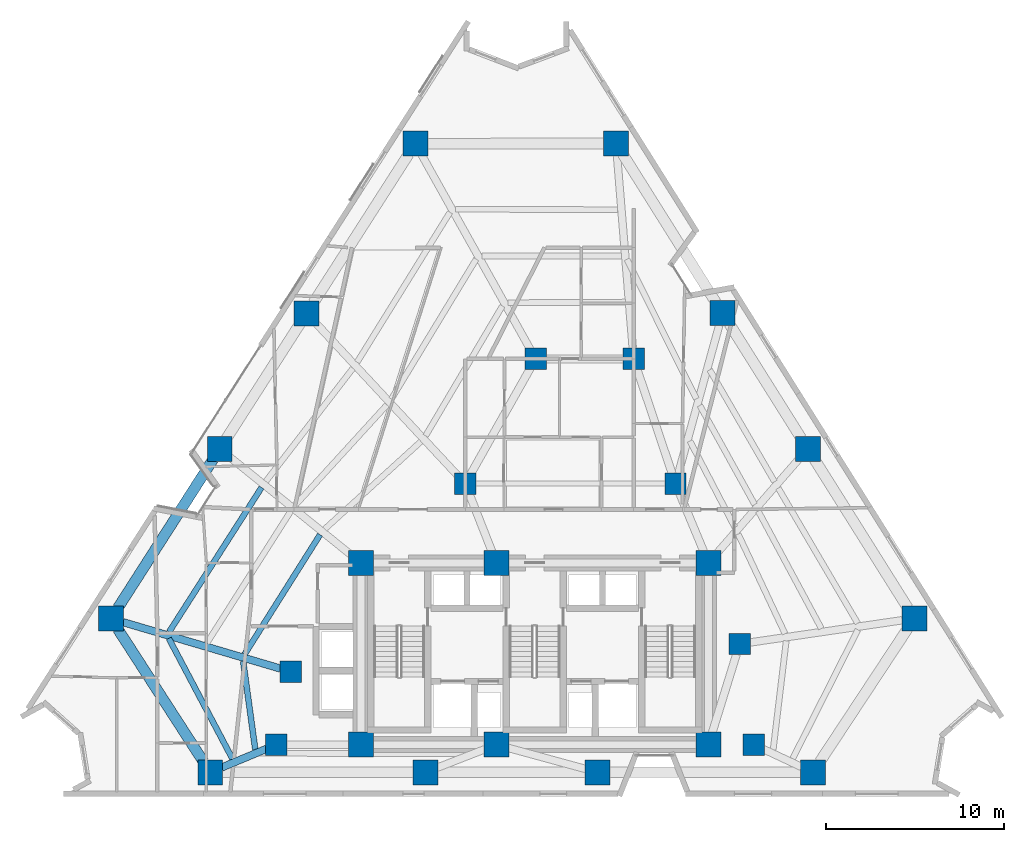
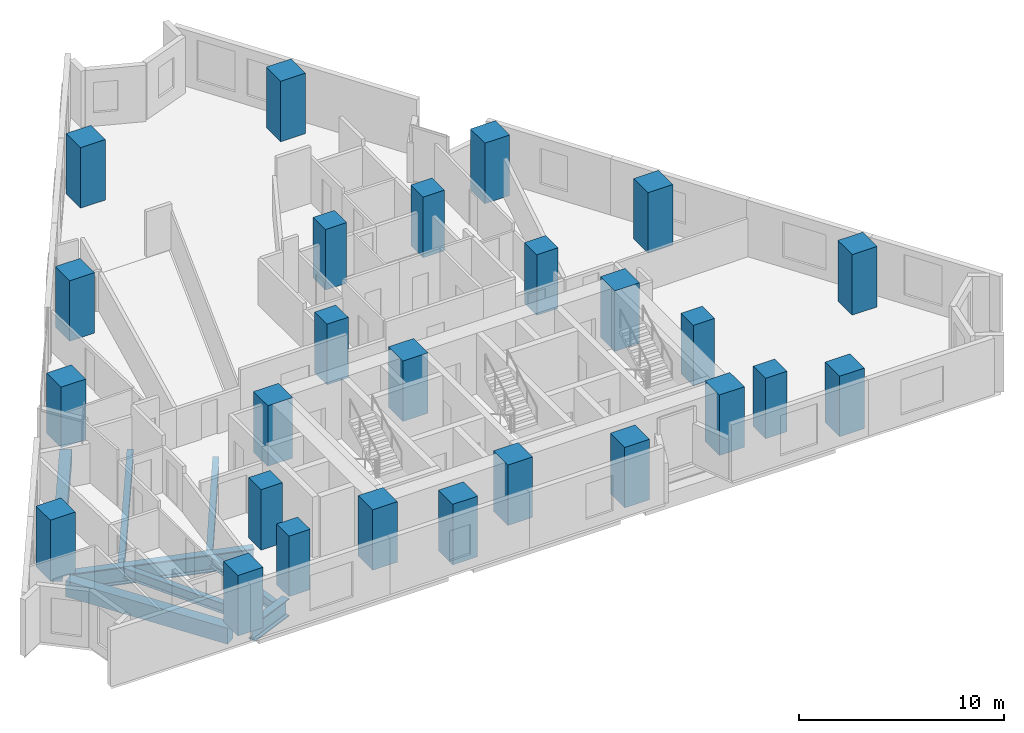
# One storey, part 1 of 14: 26 columns, 8 beams.
"""IFC4 building model written with IfcOpenShell, lengths in metres."""

import ifcopenshell
import ifcopenshell.guid

model = None  # the IFC model being written
_history = None  # IfcOwnerHistory: only IFC2X3 demands one
_inside = {}  # id of a spatial element -> (the spatial element, [elements in it])
_under = {}  # id of a project, library or spatial element -> (it, [spatial elements below it])
_declared = {}  # id of a project -> (the project, [libraries it declares])
_typed = {}  # id of a type object -> (the type object, [elements of that type])
_made_of = {}  # id of a material, layer set ... -> (it, [elements and type objects made of it])


def new_model(schema):
    """Start an empty IFC model of exactly this schema.

    Asked for "IFC4X3", IfcOpenShell would pick the latest addendum, in which some entities
    have other attributes; the version numbers below select the first issue.
    IFC2X3 requires an IfcOwnerHistory on every rooted entity: one is made here for all.
    """
    global model, _history
    if schema == "IFC4X3":
        model = ifcopenshell.file(schema_version=(4, 3, 0, 0))
    else:
        model = ifcopenshell.file(schema=schema)
    _inside.clear()
    _under.clear()
    _declared.clear()
    _typed.clear()
    _made_of.clear()
    _history = None
    if model.schema == "IFC2X3":
        org = make("IfcOrganization", Name="unknown")
        user = make(
            "IfcPersonAndOrganization",
            ThePerson=make("IfcPerson", FamilyName="unknown"),
            TheOrganization=org,
        )
        app = make(
            "IfcApplication",
            ApplicationDeveloper=org,
            Version="unknown",
            ApplicationFullName="unknown",
            ApplicationIdentifier="unknown",
        )
        _history = make(
            "IfcOwnerHistory",
            OwningUser=user,
            OwningApplication=app,
            ChangeAction="ADDED",
            CreationDate=0,
        )
    return model


def make(cls, **values):
    """One entity of the class cls with the attributes given. An attribute that is None is left unset."""
    return model.create_entity(
        cls, **{name: value for name, value in values.items() if value is not None}
    )


def rooted(cls, **values):
    """An entity with a GlobalId (a new one), such as an element, a storey or a relation."""
    return make(cls, GlobalId=ifcopenshell.guid.new(), OwnerHistory=_history, **values)


def si_unit(unit_type, name, prefix=None):
    """IfcSIUnit, for example si_unit("LENGTHUNIT", "METRE", prefix="MILLI")."""
    return make("IfcSIUnit", UnitType=unit_type, Prefix=prefix, Name=name)


def assignment(units):
    """IfcUnitAssignment: the units of a project."""
    return None if units is None else make("IfcUnitAssignment", Units=units)


def point(xyz):
    """IfcCartesianPoint."""
    return None if xyz is None else make("IfcCartesianPoint", Coordinates=xyz)


def direction(xyz):
    """IfcDirection."""
    return None if xyz is None else make("IfcDirection", DirectionRatios=xyz)


def frame(location, z_axis=None, x_axis=None):
    """IfcAxis2Placement3D, a coordinate frame: its origin and axes. An axis left out is left unset."""
    return make(
        "IfcAxis2Placement3D",
        Location=point(location),
        Axis=direction(z_axis),
        RefDirection=direction(x_axis),
    )


def frame_2d(location, x_axis=None):
    """IfcAxis2Placement2D, a coordinate frame in the plane: its origin and x axis."""
    return make(
        "IfcAxis2Placement2D", Location=point(location), RefDirection=direction(x_axis)
    )


def origin():
    """The frame at (0, 0, 0) with its axes left unset."""
    return frame((0.0, 0.0, 0.0))


def origin_2d():
    """The frame at (0, 0) in the plane with its x axis left unset."""
    return frame_2d((0.0, 0.0))


def place(relative_to, where):
    """IfcLocalPlacement: puts the frame where relative to a parent placement (None: the world)."""
    return make(
        "IfcLocalPlacement", PlacementRelTo=relative_to, RelativePlacement=where
    )


def context(
    kind, dimensions, precision=None, world=None, true_north=None, identifier=None
):
    """IfcGeometricRepresentationContext, for example the 3D "Model" context."""
    return make(
        "IfcGeometricRepresentationContext",
        ContextIdentifier=identifier,
        ContextType=kind,
        CoordinateSpaceDimension=dimensions,
        Precision=precision,
        WorldCoordinateSystem=world,
        TrueNorth=true_north,
    )


def subcontext(parent, identifier, kind, view, scale=None):
    """IfcGeometricRepresentationSubContext, for example "Body" below "Model"."""
    return make(
        "IfcGeometricRepresentationSubContext",
        ContextIdentifier=identifier,
        ContextType=kind,
        ParentContext=parent,
        TargetScale=scale,
        TargetView=view,
    )


def project(units=None, contexts=None):
    """IfcProject with its units and contexts."""
    return rooted(
        "IfcProject",
        Name="project",
        RepresentationContexts=contexts,
        UnitsInContext=assignment(units),
    )


def spatial(cls, under=None, at=None, **own):
    """A site, building, storey or space (cls), placed at a placement, below another one or the project."""
    s = rooted(cls, ObjectPlacement=at, **own)
    if under is not None:
        _under.setdefault(under.id(), (under, []))[1].append(s)
    return s


def profile(cls, at=None, kind="AREA", **sizes):
    """A parametric profile (cls). Its sizes go by their IFC names, for example OverallWidth=200.0."""
    return make(cls, ProfileType=kind, Position=at, **sizes)


def rectangle(**sizes):
    """IfcRectangleProfileDef."""
    return profile("IfcRectangleProfileDef", **sizes)


def i_section(**sizes):
    """IfcIShapeProfileDef."""
    return profile("IfcIShapeProfileDef", **sizes)


def extrude(swept, where, along, depth):
    """IfcExtrudedAreaSolid: the profile swept, set in the frame where, extruded along a direction by depth."""
    return make(
        "IfcExtrudedAreaSolid",
        SweptArea=swept,
        Position=where,
        ExtrudedDirection=direction(along),
        Depth=depth,
    )


def shape(context_of_items, identifier, shape_type, items):
    """IfcShapeRepresentation: the items that make up one representation, for example the "Body"."""
    return make(
        "IfcShapeRepresentation",
        ContextOfItems=context_of_items,
        RepresentationIdentifier=identifier,
        RepresentationType=shape_type,
        Items=items,
    )


def material(Name=None, Category=None):
    """IfcMaterial."""
    return make("IfcMaterial", Name=Name, Category=Category)


def material_profile(
    of_material, cross_section, Name=None, Category=None, Priority=None
):
    """IfcMaterialProfile: a cross section and its material."""
    return make(
        "IfcMaterialProfile",
        Name=Name,
        Material=of_material,
        Profile=cross_section,
        Priority=Priority,
        Category=Category,
    )


def profile_set(profiles, Name=None, composite=None):
    """IfcMaterialProfileSet."""
    return make(
        "IfcMaterialProfileSet",
        Name=Name,
        MaterialProfiles=profiles,
        CompositeProfile=composite,
    )


def made_of(thing, what):
    """Note that an element or type object is made of a material, layer set ...; save() writes the relation."""
    if what is not None:
        _made_of.setdefault(what.id(), (what, []))[1].append(thing)
    return thing


def type_object(cls, material=None, **own):
    """A type object (cls), such as IfcWallType, which elements share."""
    return made_of(rooted(cls, **own), material)


def element(
    cls,
    number,
    at=None,
    inside=None,
    cuts=None,
    type_object=None,
    material=None,
    context=None,
    identifier="Body",
    shape_type=None,
    held_by="IfcProductDefinitionShape",
    body=None,
    shapes=None,
    **own,
):
    """One element of the class cls, such as IfcWall. Its Tag is "e" and its number.

    at: its placement. inside: the storey or other place that contains it. cuts: it is an
    opening in that element (IfcRelVoidsElement). A single representation is given by context,
    identifier, shape_type and body (its items); several are given by shapes. held_by: the class
    of the entity that holds the representations. save() writes the other relations.
    """
    e = rooted(cls, Tag="e%d" % number, ObjectPlacement=at, **own)
    if body is not None:
        shapes = [shape(context, identifier, shape_type, body)]
    if shapes is not None:
        e.Representation = make(held_by, Representations=shapes)
    if inside is not None:
        _inside.setdefault(inside.id(), (inside, []))[1].append(e)
    if cuts is not None:
        rooted(
            "IfcRelVoidsElement", RelatingBuildingElement=cuts, RelatedOpeningElement=e
        )
    if type_object is not None:
        _typed.setdefault(type_object.id(), (type_object, []))[1].append(e)
    return made_of(e, material)


def aggregate(whole, parts):
    """IfcRelAggregates: a whole, such as a stair, and the parts it consists of."""
    return rooted("IfcRelAggregates", RelatingObject=whole, RelatedObjects=parts)


def save(model, path):
    """Write the relations noted so far, then the file.

    IfcRelAggregates (storeys below a building ...), IfcRelContainedInSpatialStructure (elements
    in a storey), IfcRelDefinesByType, IfcRelAssociatesMaterial and IfcRelDeclares: one each for
    every whole, place, type object, material and project.
    """
    for whole, parts in _under.values():
        aggregate(whole, parts)
    for where, things in _inside.values():
        rooted(
            "IfcRelContainedInSpatialStructure",
            RelatedElements=things,
            RelatingStructure=where,
        )
    for kind, things in _typed.values():
        rooted("IfcRelDefinesByType", RelatedObjects=things, RelatingType=kind)
    for what, things in _made_of.values():
        rooted("IfcRelAssociatesMaterial", RelatedObjects=things, RelatingMaterial=what)
    for by, libraries in _declared.values():
        rooted("IfcRelDeclares", RelatingContext=by, RelatedDefinitions=libraries)
    model.write(path)


model = new_model("IFC4")

# Units and contexts
model_context = context("Model", 3, precision=1e-05, world=origin(), true_north=direction((0.0, 1.0)))
body_context = subcontext(model_context, "Body", "Model", "MODEL_VIEW")
ifc_project = project(units=[si_unit("LENGTHUNIT", "METRE"), si_unit("AREAUNIT", "SQUARE_METRE"), si_unit("VOLUMEUNIT", "CUBIC_METRE"), si_unit("PLANEANGLEUNIT", "RADIAN"), si_unit("MASSUNIT", "GRAM", prefix="KILO")], contexts=[model_context])

# Site, building, storey
site_placement = place(None, origin())
site = spatial("IfcSite", under=ifc_project, at=site_placement, CompositionType="ELEMENT")
building_placement = place(site_placement, origin())
building = spatial("IfcBuilding", under=site, at=building_placement, Name="Almagre Mirador Tower", CompositionType="ELEMENT")
storey_placement = place(building_placement, frame((0.0, 0.0, 60.60009765625)))
storey = spatial("IfcBuildingStorey", under=building, at=storey_placement, Name="L14", CompositionType="ELEMENT", Elevation=60.60009765625)

# Columns
ifc_material_1 = material(Name="Concrete C60/75", Category="concrete")
ifc_material_profile_1 = material_profile(ifc_material_1, rectangle(XDim=1.199951171875, YDim=1.199951171875, at=origin_2d()), Name="RC1200X1200")
ifc_profile_set_1 = profile_set([ifc_material_profile_1], Name="Concrete C60/75")
column_type_1 = type_object("IfcColumnType", Name="COL-RC1200", PredefinedType="COLUMN", material=ifc_profile_set_1)
for number, where, z_axis, x_axis, name in (
    (1, (22.800048828125, 4.550048828125, 0.0), (0.0, 0.0, 1.0), (1.0, 0.0, 0.0), "L14 interior transfer column MC1"),
    (2, (49.60009765625, 4.550048828125, 0.0), (0.0, 0.0, 1.0), (1.0, 0.0, 0.0), "L14 interior transfer column MC2"),
    (3, (48.800048828125, 10.199951171875, 0.0), (0.0, 0.0, 1.0), (1.0, 0.0, 0.0), "L14 interior transfer column MC3"),
    (4, (45.199951171875, 19.199951171875, 0.0), (0.0, 0.0, 1.0), (1.0, 0.0, 0.0), "L14 interior transfer column MC5"),
    (5, (42.85009765625, 26.199951171875, 0.0), (0.0, 0.0, 1.0), (1.0, 0.0, 0.0), "L14 interior transfer column MC6"),
    (6, (37.35009765625, 26.199951171875, 0.0), (0.0, 0.0, 1.0), (1.0, 0.0, 0.0), "L14 interior transfer column MC7"),
    (7, (33.39990234375, 19.199951171875, 0.0), (0.0, 0.0, 1.0), (1.0, 0.0, 0.0), "L14 interior transfer column MC8"),
    (8, (23.60009765625, 8.64990234375, 0.0), (0.0, 0.0, 1.0), (1.0, 0.0, 0.0), "L14 interior transfer column MC10"),
):
    element("IfcColumn", number, at=place(storey_placement, frame(where, z_axis=z_axis, x_axis=x_axis)), inside=storey, type_object=column_type_1, Name=name, PredefinedType="COLUMN", context=body_context, shape_type="SweptSolid", body=[
        extrude(rectangle(XDim=1.199951171875, YDim=1.199951171875, at=origin_2d()), origin(), (0.0, 0.0, 1.0), 3.599853515625),
    ])
ifc_material_2 = material(Name="Concrete C60/75", Category="concrete")
ifc_material_profile_2 = material_profile(ifc_material_2, rectangle(XDim=1.39990234375, YDim=1.39990234375, at=origin_2d()), Name="RC1400X1400")
ifc_profile_set_2 = profile_set([ifc_material_profile_2], Name="Concrete C60/75")
column_type_2 = type_object("IfcColumnType", Name="COL-RC1400", PredefinedType="COLUMN", material=ifc_profile_set_2)
for number, where, z_axis, x_axis, name in (
    (9, (27.550048828125, 4.550048828125, 0.0), (0.0, 0.0, 1.0), (1.0, 0.0, 0.0), "L14 core spine column CC1"),
    (10, (35.14990234375, 4.550048828125, 0.0), (0.0, 0.0, 1.0), (1.0, 0.0, 0.0), "L14 core spine column CC2"),
    (11, (47.050048828125, 4.550048828125, 0.0), (0.0, 0.0, 1.0), (1.0, 0.0, 0.0), "L14 core spine column CC3"),
    (12, (27.550048828125, 14.75, 0.0), (0.0, 0.0, 1.0), (1.0, 0.0, 0.0), "L14 core spine column CC4"),
    (13, (35.14990234375, 14.75, 0.0), (0.0, 0.0, 1.0), (1.0, 0.0, 0.0), "L14 core spine column CC5"),
    (14, (47.050048828125, 14.75, 0.0), (0.0, 0.0, 1.0), (1.0, 0.0, 0.0), "L14 core spine column CC6"),
    (15, (19.087890625, 3.0, 0.0), (0.0, 0.0, 1.0), (1.0, 0.0, 0.0), "L14 perimeter column PC01"),
    (16, (31.16796875, 3.0, 0.0), (0.0, 0.0, 1.0), (1.0, 0.0, 0.0), "L14 perimeter column PC02"),
    (17, (40.83203125, 3.0, 0.0), (0.0, 0.0, 1.0), (1.0, 0.0, 0.0), "L14 perimeter column PC03"),
    (18, (52.912109375, 3.0, 0.0), (0.0, 0.0, 1.0), (1.0, 0.0, 0.0), "L14 perimeter column PC04"),
    (19, (58.60595703125, 11.634033203125, 0.0), (0.0, 0.0, 1.0), (1.0, 0.0, 0.0), "L14 perimeter column PC05"),
    (20, (52.6259765625, 21.154052734375, 0.0), (0.0, 0.0, 1.0), (1.0, 0.0, 0.0), "L14 perimeter column PC06"),
    (21, (47.842041015625, 28.77001953125, 0.0), (0.0, 0.0, 1.0), (1.0, 0.0, 0.0), "L14 perimeter column PC07"),
    (22, (41.862060546875, 38.2900390625, 0.0), (0.0, 0.0, 1.0), (1.0, 0.0, 0.0), "L14 perimeter column PC08"),
    (23, (30.60009765625, 38.281005859375, 0.0), (0.0, 0.0, 1.0), (1.0, 0.0, 0.0), "L14 perimeter column PC09"),
    (24, (24.5, 28.760986328125, 0.0), (0.0, 0.0, 1.0), (1.0, 0.0, 0.0), "L14 perimeter column PC10"),
    (25, (19.6201171875, 21.14501953125, 0.0), (0.0, 0.0, 1.0), (1.0, 0.0, 0.0), "L14 perimeter column PC11"),
    (26, (13.52001953125, 11.625, 0.0), (0.0, 0.0, 1.0), (1.0, 0.0, 0.0), "L14 perimeter column PC12"),
):
    element("IfcColumn", number, at=place(storey_placement, frame(where, z_axis=z_axis, x_axis=x_axis)), inside=storey, type_object=column_type_2, Name=name, PredefinedType="COLUMN", context=body_context, shape_type="SweptSolid", body=[
        extrude(rectangle(XDim=1.39990234375, YDim=1.39990234375, at=origin_2d()), origin(), (0.0, 0.0, 1.0), 3.599853515625),
    ])

# Beams
ifc_material_3 = material(Name="Steel ASTM A992 Grade 50", Category="steel")
ifc_material_profile_3 = material_profile(ifc_material_3, i_section(OverallWidth=0.323974609375, OverallDepth=0.611083984375, WebThickness=0.0126953125, FlangeThickness=0.01904296875, FilletRadius=0.02001953125, at=origin_2d()), Name="W24X104")
ifc_profile_set_3 = profile_set([ifc_material_profile_3], Name="Steel ASTM A992 Grade 50")
beam_type_1 = type_object("IfcBeamType", Name="BM-JST-W24X104", PredefinedType="JOIST", material=ifc_profile_set_3)
beam_1_placement = place(storey_placement, frame((21.96728515625, 18.984619140625, -0.5556640625), z_axis=(-0.538939298543, -0.842344604355, 0.0), x_axis=(0.842344604355, -0.538939298543, 0.0)))
element("IfcBeam", 27, at=beam_1_placement, inside=storey, type_object=beam_type_1, Name="L14 secondary floor joist PC11-PC12.1", PredefinedType="JOIST", context=body_context, shape_type="SweptSolid", body=[
    extrude(i_section(OverallWidth=0.323974609375, OverallDepth=0.611083984375, WebThickness=0.0126953125, FlangeThickness=0.01904296875, FilletRadius=0.02001953125, at=origin_2d()), origin(), (0.0, 0.0, 1.0), 9.62939453125),
])
beam_2_placement = place(storey_placement, frame((25.251708984375, 16.336181640625, -0.5556640625), z_axis=(-0.533571707058, -0.845754830567, 0.0), x_axis=(0.845754830567, -0.533571707058, 0.0)))
element("IfcBeam", 28, at=beam_2_placement, inside=storey, type_object=beam_type_1, Name="L14 secondary floor joist PC11-PC12.3", PredefinedType="JOIST", context=body_context, shape_type="SweptSolid", body=[
    extrude(i_section(OverallWidth=0.323974609375, OverallDepth=0.611083984375, WebThickness=0.0126953125, FlangeThickness=0.01904296875, FilletRadius=0.02001953125, at=origin_2d()), origin(), (0.0, 0.0, 1.0), 7.937744140625),
])
beam_3_placement = place(storey_placement, frame((16.7626953125, 10.51171875, -0.5556640625), z_axis=(0.467494738831, -0.88399585359, 0.0), x_axis=(0.88399585359, 0.467494738831, 0.0)))
element("IfcBeam", 29, at=beam_3_placement, inside=storey, type_object=beam_type_1, Name="L14 secondary floor joist PC12-PC01.1", PredefinedType="JOIST", context=body_context, shape_type="SweptSolid", body=[
    extrude(i_section(OverallWidth=0.323974609375, OverallDepth=0.611083984375, WebThickness=0.0126953125, FlangeThickness=0.01904296875, FilletRadius=0.02001953125, at=origin_2d()), origin(), (0.0, 0.0, 1.0), 7.650634765625),
])
beam_4_placement = place(storey_placement, frame((20.93310546875, 9.238037109375, -0.5556640625), z_axis=(0.136056923339, -0.990701021303, 0.0), x_axis=(0.990701021303, 0.136056923339, 0.0)))
element("IfcBeam", 30, at=beam_4_placement, inside=storey, type_object=beam_type_1, Name="L14 secondary floor joist PC12-PC01.3", PredefinedType="JOIST", context=body_context, shape_type="SweptSolid", body=[
    extrude(i_section(OverallWidth=0.323974609375, OverallDepth=0.611083984375, WebThickness=0.0126953125, FlangeThickness=0.01904296875, FilletRadius=0.02001953125, at=origin_2d()), origin(), (0.0, 0.0, 1.0), 5.010009765625),
])
ifc_material_4 = material(Name="Precast concrete C50/60", Category="concrete")
ifc_material_profile_4 = material_profile(ifc_material_4, rectangle(XDim=0.60009765625, YDim=0.949951171875, at=origin_2d()), Name="RC600X950")
ifc_profile_set_4 = profile_set([ifc_material_profile_4], Name="Precast concrete C50/60")
beam_type_2 = type_object("IfcBeamType", Name="BM-SPN-RC600X950", PredefinedType="SPANDREL", material=ifc_profile_set_4)
beam_5_placement = place(storey_placement, frame((19.2421875, 20.5556640625, -0.72509765625), z_axis=(-0.539486507438, -0.84199424481, 0.0), x_axis=(0.84199424481, -0.539486507438, 0.0)))
element("IfcBeam", 31, at=beam_5_placement, inside=storey, type_object=beam_type_2, Name="L14 perimeter spandrel beam PC11-PC12", PredefinedType="SPANDREL", context=body_context, shape_type="SweptSolid", body=[
    extrude(rectangle(XDim=0.60009765625, YDim=0.949951171875, at=origin_2d()), origin(), (0.0, 0.0, 1.0), 9.906494140625),
])
beam_6_placement = place(storey_placement, frame((13.899658203125, 11.036865234375, -0.72509765625), z_axis=(0.542362680712, -0.840144465298, 0.0), x_axis=(0.840144465298, 0.542362680712, 0.0)))
element("IfcBeam", 32, at=beam_6_placement, inside=storey, type_object=beam_type_2, Name="L14 perimeter spandrel beam PC12-PC01", PredefinedType="SPANDREL", context=body_context, shape_type="SweptSolid", body=[
    extrude(rectangle(XDim=0.60009765625, YDim=0.949951171875, at=origin_2d()), origin(), (0.0, 0.0, 1.0), 8.865966796875),
])
ifc_material_5 = material(Name="Steel ASTM A913 Grade 65", Category="steel")
ifc_material_profile_5 = material_profile(ifc_material_5, i_section(OverallWidth=0.4189453125, OverallDepth=1.041015625, WebThickness=0.031005859375, FlangeThickness=0.055908203125, FilletRadius=0.030029296875, at=origin_2d()), Name="W40X397")
ifc_profile_set_5 = profile_set([ifc_material_profile_5], Name="Steel ASTM A913 Grade 65")
beam_type_3 = type_object("IfcBeamType", Name="BM-STL-W40X397", PredefinedType="BEAM", material=ifc_profile_set_5)
beam_7_placement = place(storey_placement, frame((19.73388671875, 3.269775390625, -0.7705078125), z_axis=(0.922787491729, 0.385309285002, 0.0), x_axis=(-0.385309285002, 0.922787491729, 0.0)))
element("IfcBeam", 33, at=beam_7_placement, inside=storey, type_object=beam_type_3, Name="L14 radial floor girder PC01-MC1", PredefinedType="BEAM", context=body_context, shape_type="SweptSolid", body=[
    extrude(i_section(OverallWidth=0.4189453125, OverallDepth=1.041015625, WebThickness=0.031005859375, FlangeThickness=0.055908203125, FilletRadius=0.030029296875, at=origin_2d()), origin(), (0.0, 0.0, 1.0), 2.72265625),
])
beam_8_placement = place(storey_placement, frame((14.19140625, 11.427001953125, -0.7705078125), z_axis=(0.95909363652, -0.28308902555, 0.0), x_axis=(0.28308902555, 0.95909363652, 0.0)))
element("IfcBeam", 34, at=beam_8_placement, inside=storey, type_object=beam_type_3, Name="L14 radial floor girder PC12-MC10", PredefinedType="BEAM", context=body_context, shape_type="SweptSolid", body=[
    extrude(i_section(OverallWidth=0.4189453125, OverallDepth=1.041015625, WebThickness=0.031005859375, FlangeThickness=0.055908203125, FilletRadius=0.030029296875, at=origin_2d()), origin(), (0.0, 0.0, 1.0), 9.209716796875),
])

save(model, "model.ifc")
